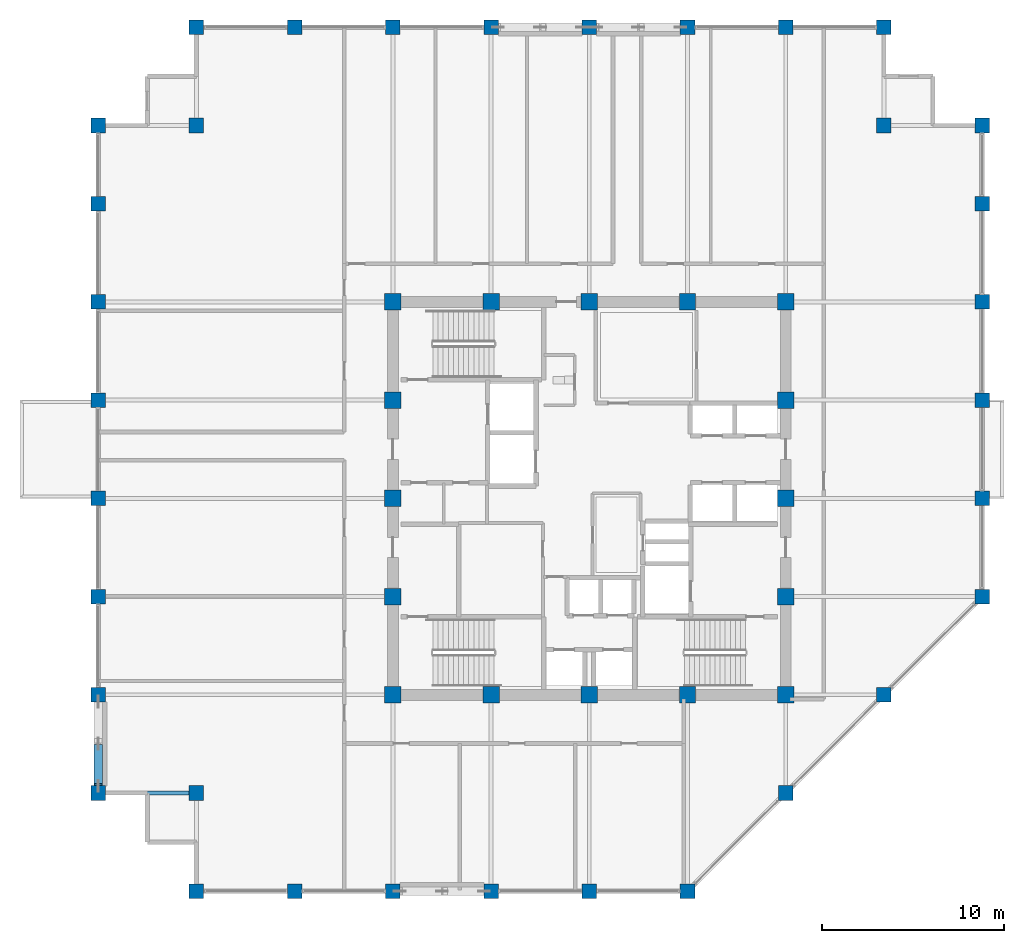
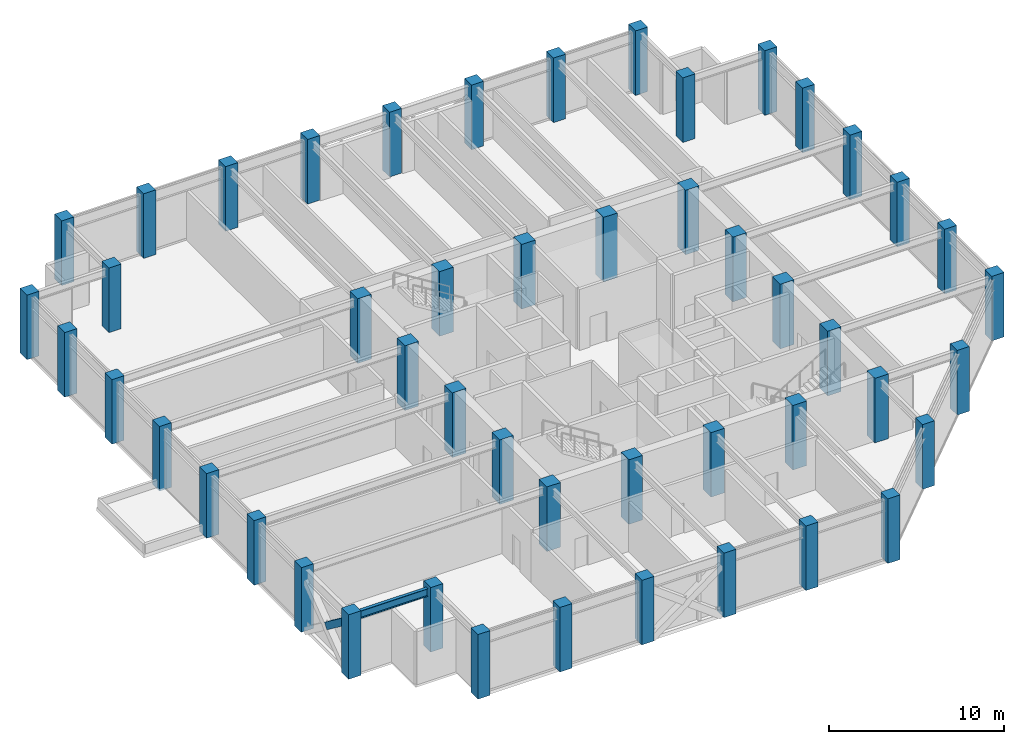
# One storey, part 1 of 28: 49 columns, 1 beam, 1 member.
"""IFC4 building model written with IfcOpenShell, lengths in metres."""

from ifc_helpers import new_model, si_unit, direction, frame, origin, origin_2d, place, context, subcontext, project, spatial, rectangle, hollow_rectangle, i_section, extrude, material, material_profile, profile_set, type_object, element, save


model = new_model("IFC4")

# Units and contexts
model_context = context("Model", 3, precision=1e-05, world=origin(), true_north=direction((0.0, 1.0)))
body_context = subcontext(model_context, "Body", "Model", "MODEL_VIEW")
ifc_project = project(units=[si_unit("LENGTHUNIT", "METRE"), si_unit("AREAUNIT", "SQUARE_METRE"), si_unit("VOLUMEUNIT", "CUBIC_METRE"), si_unit("PLANEANGLEUNIT", "RADIAN"), si_unit("MASSUNIT", "GRAM", prefix="KILO")], contexts=[model_context])

# Site, building, storey
site_placement = place(None, origin())
site = spatial("IfcSite", under=ifc_project, at=site_placement, CompositionType="ELEMENT")
building_placement = place(site_placement, origin())
building = spatial("IfcBuilding", under=site, at=building_placement, Name="Surkhivell Harbour Commons", CompositionType="ELEMENT")
storey_placement = place(building_placement, frame((0.0, 0.0, 249.75)))
storey = spatial("IfcBuildingStorey", under=building, at=storey_placement, Name="L65", CompositionType="ELEMENT", Elevation=249.75)

# Columns
ifc_material_1 = material(Name="Concrete C60/75", Category="concrete")
ifc_material_profile_1 = material_profile(ifc_material_1, rectangle(XDim=0.89990234375, YDim=0.89990234375, at=origin_2d()), Name="RC-COL-900x900")
ifc_profile_set_1 = profile_set([ifc_material_profile_1], Name="Concrete C60/75")
column_type_1 = type_object("IfcColumnType", Name="COL-TUBE-Z3A", PredefinedType="COLUMN", material=ifc_profile_set_1)
for number, where, z_axis, x_axis, name in (
    (1, (-10.800048828125, -10.800048828125, 0.0), (0.0, 0.0, 1.0), (1.0, 0.0, 0.0), "L65 Column CT-3A (-10.8,-10.8)"),
    (2, (-10.800048828125, -5.39990234375, 0.0), (0.0, 0.0, 1.0), (1.0, 0.0, 0.0), "L65 Column CT-3A (-10.8,-5.4)"),
    (3, (-10.800048828125, 0.0, 0.0), (0.0, 0.0, 1.0), (1.0, 0.0, 0.0), "L65 Column CT-3A (-10.8,0.0)"),
    (4, (-10.800048828125, 5.39990234375, 0.0), (0.0, 0.0, 1.0), (1.0, 0.0, 0.0), "L65 Column CT-3A (-10.8,5.4)"),
    (5, (-10.800048828125, 10.800048828125, 0.0), (0.0, 0.0, 1.0), (1.0, 0.0, 0.0), "L65 Column CT-3A (-10.8,10.8)"),
    (6, (-5.39990234375, -10.800048828125, 0.0), (0.0, 0.0, 1.0), (1.0, 0.0, 0.0), "L65 Column CT-3A (-5.4,-10.8)"),
    (7, (-5.39990234375, 10.800048828125, 0.0), (0.0, 0.0, 1.0), (1.0, 0.0, 0.0), "L65 Column CT-3A (-5.4,10.8)"),
    (8, (0.0, -10.800048828125, 0.0), (0.0, 0.0, 1.0), (1.0, 0.0, 0.0), "L65 Column CT-3A (0.0,-10.8)"),
    (9, (0.0, 10.800048828125, 0.0), (0.0, 0.0, 1.0), (1.0, 0.0, 0.0), "L65 Column CT-3A (0.0,10.8)"),
    (10, (5.39990234375, -10.800048828125, 0.0), (0.0, 0.0, 1.0), (1.0, 0.0, 0.0), "L65 Column CT-3A (5.4,-10.8)"),
    (11, (5.39990234375, 10.800048828125, 0.0), (0.0, 0.0, 1.0), (1.0, 0.0, 0.0), "L65 Column CT-3A (5.4,10.8)"),
    (12, (10.800048828125, -10.800048828125, 0.0), (0.0, 0.0, 1.0), (1.0, 0.0, 0.0), "L65 Column CT-3A (10.8,-10.8)"),
    (13, (10.800048828125, -5.39990234375, 0.0), (0.0, 0.0, 1.0), (1.0, 0.0, 0.0), "L65 Column CT-3A (10.8,-5.4)"),
    (14, (10.800048828125, 0.0, 0.0), (0.0, 0.0, 1.0), (1.0, 0.0, 0.0), "L65 Column CT-3A (10.8,0.0)"),
    (15, (10.800048828125, 5.39990234375, 0.0), (0.0, 0.0, 1.0), (1.0, 0.0, 0.0), "L65 Column CT-3A (10.8,5.4)"),
    (16, (10.800048828125, 10.800048828125, 0.0), (0.0, 0.0, 1.0), (1.0, 0.0, 0.0), "L65 Column CT-3A (10.8,10.8)"),
):
    element("IfcColumn", number, at=place(storey_placement, frame(where, z_axis=z_axis, x_axis=x_axis)), inside=storey, type_object=column_type_1, Name=name, PredefinedType="COLUMN", context=body_context, shape_type="SweptSolid", body=[
        extrude(rectangle(XDim=0.89990234375, YDim=0.89990234375, at=origin_2d()), origin(), (0.0, 0.0, 1.0), 4.5),
    ])
ifc_material_2 = material(Name="Concrete C50/60", Category="concrete")
ifc_material_profile_2 = material_profile(ifc_material_2, rectangle(XDim=0.800048828125, YDim=0.800048828125, at=origin_2d()), Name="RC-COL-800x800")
ifc_profile_set_2 = profile_set([ifc_material_profile_2], Name="Concrete C50/60")
column_type_2 = type_object("IfcColumnType", Name="COL-TUBE-Z3B", PredefinedType="COLUMN", material=ifc_profile_set_2)
for number, where, z_axis, x_axis, name in (
    (17, (-27.0, -16.199951171875, 0.0), (0.0, 0.0, 1.0), (1.0, 0.0, 0.0), "L65 Column CT-3B (-27.0,-16.2)"),
    (18, (-27.0, -10.800048828125, 0.0), (0.0, 0.0, 1.0), (1.0, 0.0, 0.0), "L65 Column CT-3B (-27.0,-10.8)"),
    (19, (-27.0, -5.39990234375, 0.0), (0.0, 0.0, 1.0), (1.0, 0.0, 0.0), "L65 Column CT-3B (-27.0,-5.4)"),
    (20, (-27.0, 0.0, 0.0), (0.0, 0.0, 1.0), (1.0, 0.0, 0.0), "L65 Column CT-3B (-27.0,0.0)"),
    (21, (-27.0, 5.39990234375, 0.0), (0.0, 0.0, 1.0), (1.0, 0.0, 0.0), "L65 Column CT-3B (-27.0,5.4)"),
    (22, (-27.0, 10.800048828125, 0.0), (0.0, 0.0, 1.0), (1.0, 0.0, 0.0), "L65 Column CT-3B (-27.0,10.8)"),
    (23, (-27.0, 16.199951171875, 0.0), (0.0, 0.0, 1.0), (1.0, 0.0, 0.0), "L65 Column CT-3B (-27.0,16.2)"),
    (24, (-27.0, 20.5, 0.0), (0.0, 0.0, 1.0), (1.0, 0.0, 0.0), "L65 Column CT-3B (-27.0,20.5)"),
    (25, (-21.60009765625, -21.60009765625, 0.0), (0.0, 0.0, 1.0), (1.0, 0.0, 0.0), "L65 Column CT-3B (-21.6,-21.6)"),
    (26, (-21.60009765625, -16.199951171875, 0.0), (0.0, 0.0, 1.0), (1.0, 0.0, 0.0), "L65 Column CT-3B (-21.6,-16.2)"),
    (27, (-21.60009765625, 20.5, 0.0), (0.0, 0.0, 1.0), (1.0, 0.0, 0.0), "L65 Column CT-3B (-21.6,20.5)"),
    (28, (-21.60009765625, 25.89990234375, 0.0), (0.0, 0.0, 1.0), (1.0, 0.0, 0.0), "L65 Column CT-3B (-21.6,25.9)"),
    (29, (-16.199951171875, -21.60009765625, 0.0), (0.0, 0.0, 1.0), (1.0, 0.0, 0.0), "L65 Column CT-3B (-16.2,-21.6)"),
    (30, (-16.199951171875, 25.89990234375, 0.0), (0.0, 0.0, 1.0), (1.0, 0.0, 0.0), "L65 Column CT-3B (-16.2,25.9)"),
    (31, (-10.800048828125, -21.60009765625, 0.0), (0.0, 0.0, 1.0), (1.0, 0.0, 0.0), "L65 Column CT-3B (-10.8,-21.6)"),
    (32, (-10.800048828125, 25.89990234375, 0.0), (0.0, 0.0, 1.0), (1.0, 0.0, 0.0), "L65 Column CT-3B (-10.8,25.9)"),
    (33, (-5.39990234375, -21.60009765625, 0.0), (0.0, 0.0, 1.0), (1.0, 0.0, 0.0), "L65 Column CT-3B (-5.4,-21.6)"),
    (34, (-5.39990234375, 25.89990234375, 0.0), (0.0, 0.0, 1.0), (1.0, 0.0, 0.0), "L65 Column CT-3B (-5.4,25.9)"),
    (35, (0.0, -21.60009765625, 0.0), (0.0, 0.0, 1.0), (1.0, 0.0, 0.0), "L65 Column CT-3B (-0.0,-21.6)"),
    (36, (0.0, 25.89990234375, 0.0), (0.0, 0.0, 1.0), (1.0, 0.0, 0.0), "L65 Column CT-3B (-0.0,25.9)"),
    (37, (5.39990234375, -21.60009765625, 0.0), (0.0, 0.0, 1.0), (1.0, 0.0, 0.0), "L65 Column CT-3B (5.4,-21.6)"),
    (38, (5.39990234375, 25.89990234375, 0.0), (0.0, 0.0, 1.0), (1.0, 0.0, 0.0), "L65 Column CT-3B (5.4,25.9)"),
    (39, (10.800048828125, -16.199951171875, 0.0), (0.0, 0.0, 1.0), (1.0, 0.0, 0.0), "L65 Column CT-3B (10.8,-16.2)"),
    (40, (10.800048828125, 25.89990234375, 0.0), (0.0, 0.0, 1.0), (1.0, 0.0, 0.0), "L65 Column CT-3B (10.8,25.9)"),
    (41, (16.199951171875, -10.800048828125, 0.0), (0.0, 0.0, 1.0), (1.0, 0.0, 0.0), "L65 Column CT-3B (16.2,-10.8)"),
    (42, (16.199951171875, 20.5, 0.0), (0.0, 0.0, 1.0), (1.0, 0.0, 0.0), "L65 Column CT-3B (16.2,20.5)"),
    (43, (16.199951171875, 25.89990234375, 0.0), (0.0, 0.0, 1.0), (1.0, 0.0, 0.0), "L65 Column CT-3B (16.2,25.9)"),
    (44, (21.60009765625, -5.39990234375, 0.0), (0.0, 0.0, 1.0), (1.0, 0.0, 0.0), "L65 Column CT-3B (21.6,-5.4)"),
    (45, (21.60009765625, 0.0, 0.0), (0.0, 0.0, 1.0), (1.0, 0.0, 0.0), "L65 Column CT-3B (21.6,0.0)"),
    (46, (21.60009765625, 5.39990234375, 0.0), (0.0, 0.0, 1.0), (1.0, 0.0, 0.0), "L65 Column CT-3B (21.6,5.4)"),
    (47, (21.60009765625, 10.800048828125, 0.0), (0.0, 0.0, 1.0), (1.0, 0.0, 0.0), "L65 Column CT-3B (21.6,10.8)"),
    (48, (21.60009765625, 16.199951171875, 0.0), (0.0, 0.0, 1.0), (1.0, 0.0, 0.0), "L65 Column CT-3B (21.6,16.2)"),
    (49, (21.60009765625, 20.5, 0.0), (0.0, 0.0, 1.0), (1.0, 0.0, 0.0), "L65 Column CT-3B (21.6,20.5)"),
):
    element("IfcColumn", number, at=place(storey_placement, frame(where, z_axis=z_axis, x_axis=x_axis)), inside=storey, type_object=column_type_2, Name=name, PredefinedType="COLUMN", context=body_context, shape_type="SweptSolid", body=[
        extrude(rectangle(XDim=0.800048828125, YDim=0.800048828125, at=origin_2d()), origin(), (0.0, 0.0, 1.0), 4.5),
    ])

# Beam
ifc_material_3 = material(Name="Steel S355", Category="steel")
ifc_material_profile_3 = material_profile(ifc_material_3, i_section(OverallWidth=0.2119140625, OverallDepth=0.5439453125, WebThickness=0.0126953125, FlangeThickness=0.021240234375, at=origin_2d()), Name="UB533x210x122")
ifc_profile_set_3 = profile_set([ifc_material_profile_3], Name="Steel S355")
beam_type = type_object("IfcBeamType", Name="BM-GRD-533A", PredefinedType="BEAM", material=ifc_profile_set_3)
beam_placement = place(storey_placement, frame((-27.0, -16.199951171875, 3.97802734375), z_axis=(1.0, 0.0, 0.0), x_axis=(0.0, 1.0, 0.0)))
element("IfcBeam", 50, at=beam_placement, inside=storey, type_object=beam_type, Name="L65 Floor Girder (-27.0,-16.2)", PredefinedType="BEAM", context=body_context, shape_type="SweptSolid", body=[
    extrude(i_section(OverallWidth=0.2119140625, OverallDepth=0.5439453125, WebThickness=0.0126953125, FlangeThickness=0.021240234375, at=origin_2d()), origin(), (0.0, 0.0, 1.0), 5.39990234375),
])

# Member
ifc_material_4 = material(Name="Steel S460", Category="steel")
ifc_material_profile_4 = material_profile(ifc_material_4, hollow_rectangle(XDim=0.449951171875, YDim=0.449951171875, WallThickness=0.02197265625, at=origin_2d()), Name="SHS450x450x22")
ifc_profile_set_4 = profile_set([ifc_material_profile_4], Name="Steel S460")
member_type = type_object("IfcMemberType", Name="MEM-BRC-SHS450", PredefinedType="BRACE", material=ifc_profile_set_4)
member_placement = place(storey_placement, frame((-27.0, -13.672607421875, 1.875732421875), z_axis=(0.0, -0.799748384904, 0.600335340326), x_axis=(1.0, 0.0, 0.0)))
element("IfcMember", 51, at=member_placement, inside=storey, type_object=member_type, Name="L65 Perimeter Mega-Brace MB- 12", PredefinedType="BRACE", context=body_context, shape_type="SweptSolid", body=[
    extrude(hollow_rectangle(XDim=0.449951171875, YDim=0.449951171875, WallThickness=0.02197265625, at=origin_2d()), origin(), (0.0, 0.0, 1.0), 2.6787109375),
])

save(model, "model.ifc")
